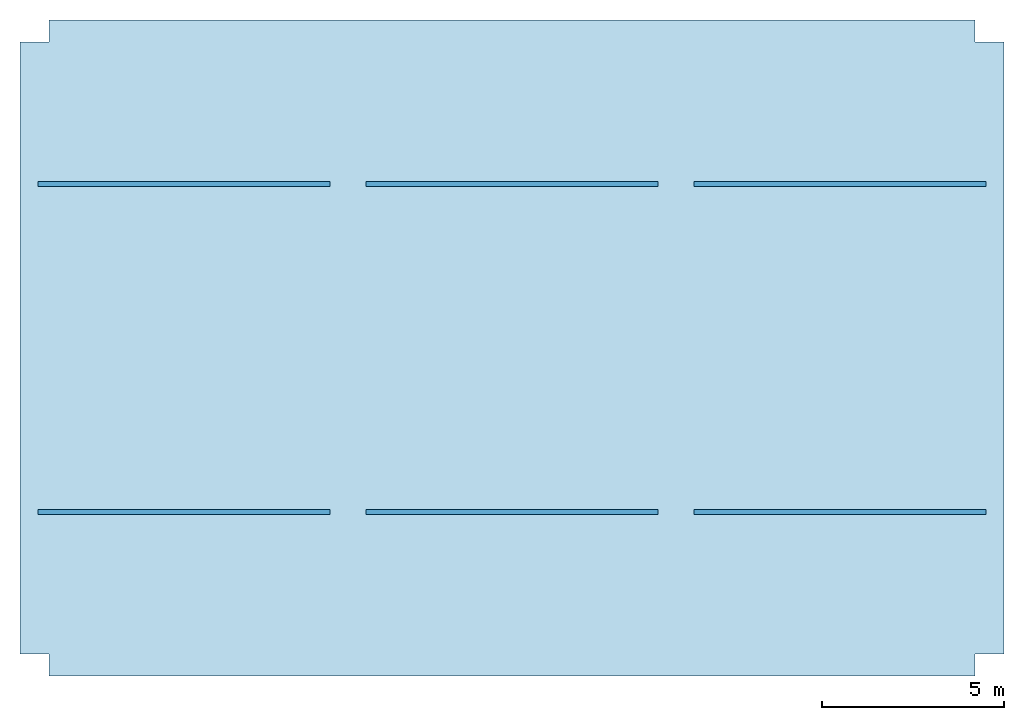
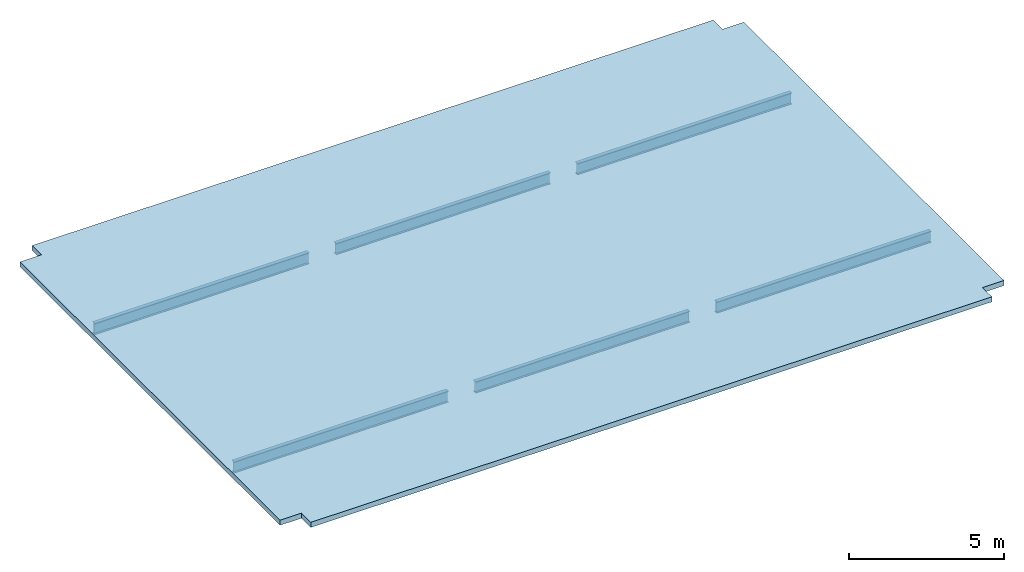
# One storey: 6 beams, 1 slab.
"""IFC4 building model written with IfcOpenShell, lengths in metres."""

from ifc_helpers import new_model, si_unit, direction, frame, origin, origin_2d, place, context, subcontext, project, spatial, polyline, i_section, outline, extrude, material, layer, layer_set, material_profile, profile_set, type_object, element, save


model = new_model("IFC4")

# Units and contexts
model_context = context("Model", 3, precision=1e-05, world=origin(), true_north=direction((0.0, 1.0)))
body_context = subcontext(model_context, "Body", "Model", "MODEL_VIEW")
ifc_project = project(units=[si_unit("LENGTHUNIT", "METRE"), si_unit("AREAUNIT", "SQUARE_METRE"), si_unit("VOLUMEUNIT", "CUBIC_METRE"), si_unit("PLANEANGLEUNIT", "RADIAN"), si_unit("MASSUNIT", "GRAM", prefix="KILO")], contexts=[model_context])

# Site, building, storey
site_placement = place(None, origin())
site = spatial("IfcSite", under=ifc_project, at=site_placement, CompositionType="ELEMENT")
building_placement = place(site_placement, origin())
building = spatial("IfcBuilding", under=site, at=building_placement, Name="Aravalli Gate Trade Fair Centre", CompositionType="ELEMENT")
storey_placement = place(building_placement, frame((0.0, 0.0, 28.800048828125)))
storey = spatial("IfcBuildingStorey", under=building, at=storey_placement, Name="ROOF LEVEL 3", CompositionType="ELEMENT", Elevation=28.800048828125)

# Beams
ifc_material_1 = material(Name="Steel E350", Category="steel")
ifc_material_profile = material_profile(ifc_material_1, i_section(OverallWidth=0.14990234375, OverallDepth=0.449951171875, WebThickness=0.009521484375, FlangeThickness=0.017333984375, at=origin_2d()), Name="ISMB 450")
ifc_profile_set = profile_set([ifc_material_profile], Name="Steel E350")
beam_type = type_object("IfcBeamType", Name="Congress stage roof joist ISMB 450", PredefinedType="JOIST", material=ifc_profile_set)
for number, where, z_axis, x_axis, name in (
    (1, (114.5, 50.5, -0.22509765625), (1.0, 0.0, 0.0), (0.0, 1.0, 0.0), "Stage roof joist 1 line 50.5"),
    (2, (114.5, 59.5, -0.22509765625), (1.0, 0.0, 0.0), (0.0, 1.0, 0.0), "Stage roof joist 1 line 59.5"),
    (3, (123.5, 50.5, -0.22509765625), (1.0, 0.0, 0.0), (0.0, 1.0, 0.0), "Stage roof joist 2 line 50.5"),
    (4, (123.5, 59.5, -0.22509765625), (1.0, 0.0, 0.0), (0.0, 1.0, 0.0), "Stage roof joist 2 line 59.5"),
    (5, (132.5, 50.5, -0.22509765625), (1.0, 0.0, 0.0), (0.0, 1.0, 0.0), "Stage roof joist 3 line 50.5"),
    (6, (132.5, 59.5, -0.22509765625), (1.0, 0.0, 0.0), (0.0, 1.0, 0.0), "Stage roof joist 3 line 59.5"),
):
    element("IfcBeam", number, at=place(storey_placement, frame(where, z_axis=z_axis, x_axis=x_axis)), inside=storey, type_object=beam_type, Name=name, PredefinedType="JOIST", context=body_context, shape_type="SweptSolid", body=[
        extrude(i_section(OverallWidth=0.14990234375, OverallDepth=0.449951171875, WebThickness=0.009521484375, FlangeThickness=0.017333984375, at=origin_2d()), origin(), (0.0, 0.0, 1.0), 8.0),
    ])

# Slab
ifc_material_2 = material(Name="Concrete M40", Category="concrete")
ifc_layer = layer(ifc_material_2, 0.199951171875)
ifc_layer_set = layer_set([ifc_layer], Name="Concrete M40")
slab_type = type_object("IfcSlabType", Name="Congress stage roof slab RC 200", PredefinedType="ROOF", material=ifc_layer_set)
slab_placement = place(storey_placement, origin())
element("IfcSlab", 7, at=slab_placement, inside=storey, type_object=slab_type, Name="Stage house roof", PredefinedType="ROOF", context=body_context, shape_type="SweptSolid", body=[
    extrude(outline(polyline([(141.0, 46.60009765625), (140.199951171875, 46.60009765625), (140.199951171875, 46.0), (114.800048828125, 46.0), (114.800048828125, 46.60009765625), (114.0, 46.60009765625), (114.0, 63.39990234375), (114.800048828125, 63.39990234375), (114.800048828125, 64.0), (140.199951171875, 64.0), (140.199951171875, 63.39990234375), (141.0, 63.39990234375), (141.0, 46.60009765625)])), origin(), (0.0, 0.0, 1.0), 0.199951171875),
])

save(model, "model.ifc")
